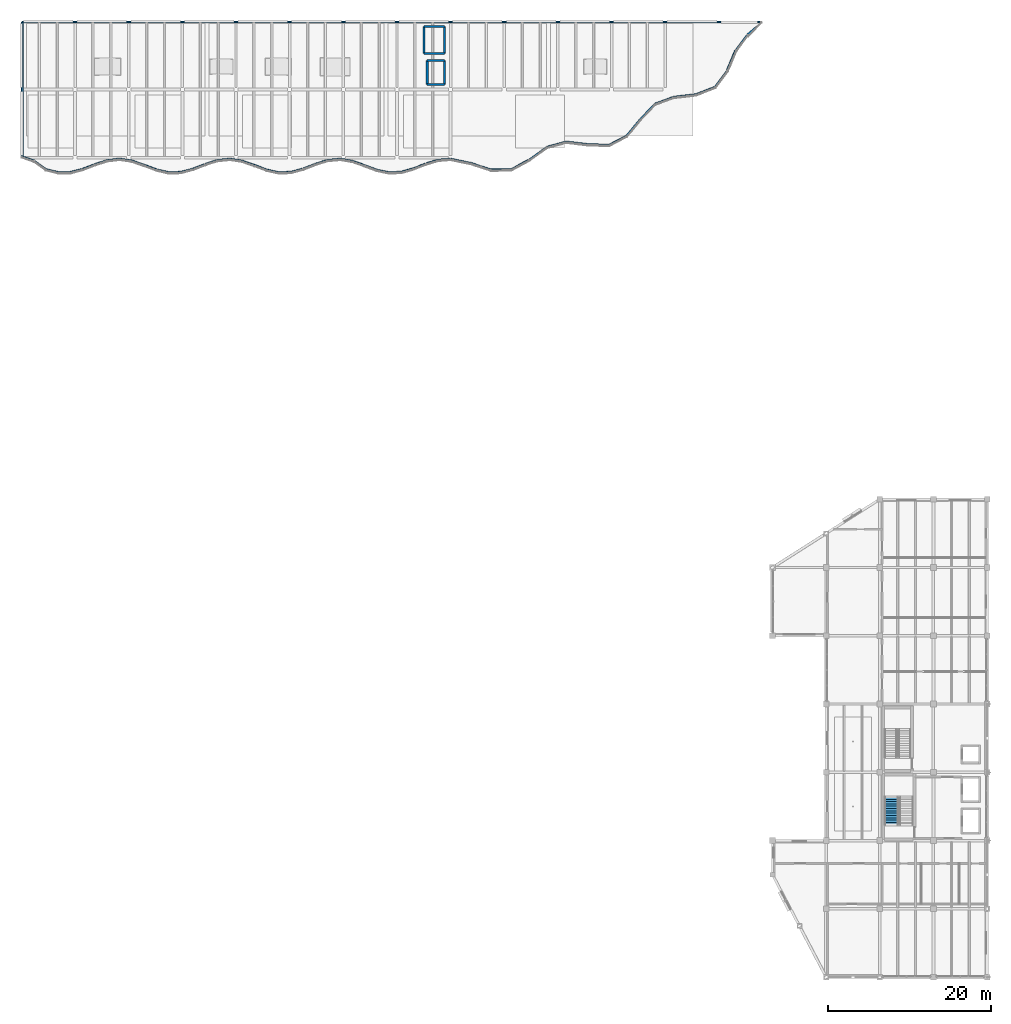
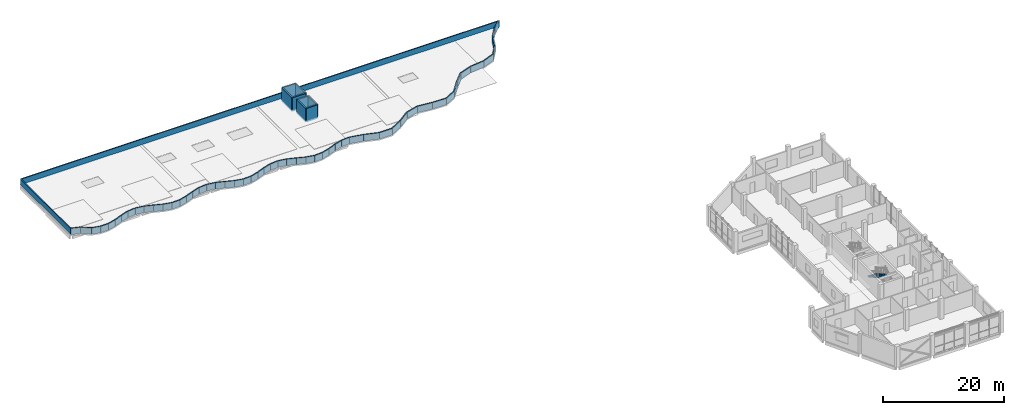
# One storey, part 12 of 19: 63 walls, 1 stair flight, 1 element without a shape of its own.
"""IFC4 building model written with IfcOpenShell, lengths in metres."""

import ifcopenshell
import ifcopenshell.guid

model = None  # the IFC model being written
_history = None  # IfcOwnerHistory: only IFC2X3 demands one
_inside = {}  # id of a spatial element -> (the spatial element, [elements in it])
_under = {}  # id of a project, library or spatial element -> (it, [spatial elements below it])
_declared = {}  # id of a project -> (the project, [libraries it declares])
_typed = {}  # id of a type object -> (the type object, [elements of that type])
_made_of = {}  # id of a material, layer set ... -> (it, [elements and type objects made of it])


def new_model(schema):
    """Start an empty IFC model of exactly this schema.

    Asked for "IFC4X3", IfcOpenShell would pick the latest addendum, in which some entities
    have other attributes; the version numbers below select the first issue.
    IFC2X3 requires an IfcOwnerHistory on every rooted entity: one is made here for all.
    """
    global model, _history
    if schema == "IFC4X3":
        model = ifcopenshell.file(schema_version=(4, 3, 0, 0))
    else:
        model = ifcopenshell.file(schema=schema)
    _inside.clear()
    _under.clear()
    _declared.clear()
    _typed.clear()
    _made_of.clear()
    _history = None
    if model.schema == "IFC2X3":
        org = make("IfcOrganization", Name="unknown")
        user = make(
            "IfcPersonAndOrganization",
            ThePerson=make("IfcPerson", FamilyName="unknown"),
            TheOrganization=org,
        )
        app = make(
            "IfcApplication",
            ApplicationDeveloper=org,
            Version="unknown",
            ApplicationFullName="unknown",
            ApplicationIdentifier="unknown",
        )
        _history = make(
            "IfcOwnerHistory",
            OwningUser=user,
            OwningApplication=app,
            ChangeAction="ADDED",
            CreationDate=0,
        )
    return model


def make(cls, **values):
    """One entity of the class cls with the attributes given. An attribute that is None is left unset."""
    return model.create_entity(
        cls, **{name: value for name, value in values.items() if value is not None}
    )


def rooted(cls, **values):
    """An entity with a GlobalId (a new one), such as an element, a storey or a relation."""
    return make(cls, GlobalId=ifcopenshell.guid.new(), OwnerHistory=_history, **values)


def si_unit(unit_type, name, prefix=None):
    """IfcSIUnit, for example si_unit("LENGTHUNIT", "METRE", prefix="MILLI")."""
    return make("IfcSIUnit", UnitType=unit_type, Prefix=prefix, Name=name)


def assignment(units):
    """IfcUnitAssignment: the units of a project."""
    return None if units is None else make("IfcUnitAssignment", Units=units)


def point(xyz):
    """IfcCartesianPoint."""
    return None if xyz is None else make("IfcCartesianPoint", Coordinates=xyz)


def direction(xyz):
    """IfcDirection."""
    return None if xyz is None else make("IfcDirection", DirectionRatios=xyz)


def frame(location, z_axis=None, x_axis=None):
    """IfcAxis2Placement3D, a coordinate frame: its origin and axes. An axis left out is left unset."""
    return make(
        "IfcAxis2Placement3D",
        Location=point(location),
        Axis=direction(z_axis),
        RefDirection=direction(x_axis),
    )


def frame_2d(location, x_axis=None):
    """IfcAxis2Placement2D, a coordinate frame in the plane: its origin and x axis."""
    return make(
        "IfcAxis2Placement2D", Location=point(location), RefDirection=direction(x_axis)
    )


def origin():
    """The frame at (0, 0, 0) with its axes left unset."""
    return frame((0.0, 0.0, 0.0))


def place(relative_to, where):
    """IfcLocalPlacement: puts the frame where relative to a parent placement (None: the world)."""
    return make(
        "IfcLocalPlacement", PlacementRelTo=relative_to, RelativePlacement=where
    )


def context(
    kind, dimensions, precision=None, world=None, true_north=None, identifier=None
):
    """IfcGeometricRepresentationContext, for example the 3D "Model" context."""
    return make(
        "IfcGeometricRepresentationContext",
        ContextIdentifier=identifier,
        ContextType=kind,
        CoordinateSpaceDimension=dimensions,
        Precision=precision,
        WorldCoordinateSystem=world,
        TrueNorth=true_north,
    )


def subcontext(parent, identifier, kind, view, scale=None):
    """IfcGeometricRepresentationSubContext, for example "Body" below "Model"."""
    return make(
        "IfcGeometricRepresentationSubContext",
        ContextIdentifier=identifier,
        ContextType=kind,
        ParentContext=parent,
        TargetScale=scale,
        TargetView=view,
    )


def project(units=None, contexts=None):
    """IfcProject with its units and contexts."""
    return rooted(
        "IfcProject",
        Name="project",
        RepresentationContexts=contexts,
        UnitsInContext=assignment(units),
    )


def spatial(cls, under=None, at=None, **own):
    """A site, building, storey or space (cls), placed at a placement, below another one or the project."""
    s = rooted(cls, ObjectPlacement=at, **own)
    if under is not None:
        _under.setdefault(under.id(), (under, []))[1].append(s)
    return s


def polyline(points):
    """IfcPolyline through the points."""
    return make("IfcPolyline", Points=[point(p) for p in points])


def profile(cls, at=None, kind="AREA", **sizes):
    """A parametric profile (cls). Its sizes go by their IFC names, for example OverallWidth=200.0."""
    return make(cls, ProfileType=kind, Position=at, **sizes)


def rectangle(**sizes):
    """IfcRectangleProfileDef."""
    return profile("IfcRectangleProfileDef", **sizes)


def outline(outer, holes=None, kind="AREA"):
    """IfcArbitraryClosedProfileDef: a profile drawn as a closed curve; with holes, ...WithVoids."""
    if holes is None:
        return make("IfcArbitraryClosedProfileDef", ProfileType=kind, OuterCurve=outer)
    return make(
        "IfcArbitraryProfileDefWithVoids",
        ProfileType=kind,
        OuterCurve=outer,
        InnerCurves=holes,
    )


def extrude(swept, where, along, depth):
    """IfcExtrudedAreaSolid: the profile swept, set in the frame where, extruded along a direction by depth."""
    return make(
        "IfcExtrudedAreaSolid",
        SweptArea=swept,
        Position=where,
        ExtrudedDirection=direction(along),
        Depth=depth,
    )


def shape(context_of_items, identifier, shape_type, items):
    """IfcShapeRepresentation: the items that make up one representation, for example the "Body"."""
    return make(
        "IfcShapeRepresentation",
        ContextOfItems=context_of_items,
        RepresentationIdentifier=identifier,
        RepresentationType=shape_type,
        Items=items,
    )


def material(Name=None, Category=None):
    """IfcMaterial."""
    return make("IfcMaterial", Name=Name, Category=Category)


def layer(
    of_material, thickness, ventilated=None, Name=None, Category=None, Priority=None
):
    """IfcMaterialLayer: one layer of a wall or slab, of a material (None: an air gap)."""
    return make(
        "IfcMaterialLayer",
        Material=of_material,
        LayerThickness=thickness,
        IsVentilated=ventilated,
        Name=Name,
        Category=Category,
        Priority=Priority,
    )


def layer_set(layers, Name=None):
    """IfcMaterialLayerSet."""
    return make("IfcMaterialLayerSet", MaterialLayers=layers, LayerSetName=Name)


def made_of(thing, what):
    """Note that an element or type object is made of a material, layer set ...; save() writes the relation."""
    if what is not None:
        _made_of.setdefault(what.id(), (what, []))[1].append(thing)
    return thing


def type_object(cls, material=None, **own):
    """A type object (cls), such as IfcWallType, which elements share."""
    return made_of(rooted(cls, **own), material)


def element(
    cls,
    number,
    at=None,
    inside=None,
    cuts=None,
    type_object=None,
    material=None,
    context=None,
    identifier="Body",
    shape_type=None,
    held_by="IfcProductDefinitionShape",
    body=None,
    shapes=None,
    **own,
):
    """One element of the class cls, such as IfcWall. Its Tag is "e" and its number.

    at: its placement. inside: the storey or other place that contains it. cuts: it is an
    opening in that element (IfcRelVoidsElement). A single representation is given by context,
    identifier, shape_type and body (its items); several are given by shapes. held_by: the class
    of the entity that holds the representations. save() writes the other relations.
    """
    e = rooted(cls, Tag="e%d" % number, ObjectPlacement=at, **own)
    if body is not None:
        shapes = [shape(context, identifier, shape_type, body)]
    if shapes is not None:
        e.Representation = make(held_by, Representations=shapes)
    if inside is not None:
        _inside.setdefault(inside.id(), (inside, []))[1].append(e)
    if cuts is not None:
        rooted(
            "IfcRelVoidsElement", RelatingBuildingElement=cuts, RelatedOpeningElement=e
        )
    if type_object is not None:
        _typed.setdefault(type_object.id(), (type_object, []))[1].append(e)
    return made_of(e, material)


def aggregate(whole, parts):
    """IfcRelAggregates: a whole, such as a stair, and the parts it consists of."""
    return rooted("IfcRelAggregates", RelatingObject=whole, RelatedObjects=parts)


def save(model, path):
    """Write the relations noted so far, then the file.

    IfcRelAggregates (storeys below a building ...), IfcRelContainedInSpatialStructure (elements
    in a storey), IfcRelDefinesByType, IfcRelAssociatesMaterial and IfcRelDeclares: one each for
    every whole, place, type object, material and project.
    """
    for whole, parts in _under.values():
        aggregate(whole, parts)
    for where, things in _inside.values():
        rooted(
            "IfcRelContainedInSpatialStructure",
            RelatedElements=things,
            RelatingStructure=where,
        )
    for kind, things in _typed.values():
        rooted("IfcRelDefinesByType", RelatedObjects=things, RelatingType=kind)
    for what, things in _made_of.values():
        rooted("IfcRelAssociatesMaterial", RelatedObjects=things, RelatingMaterial=what)
    for by, libraries in _declared.values():
        rooted("IfcRelDeclares", RelatingContext=by, RelatedDefinitions=libraries)
    model.write(path)


model = new_model("IFC4")

# Units and contexts
model_context = context("Model", 3, precision=1e-05, world=origin(), true_north=direction((0.0, 1.0)))
body_context = subcontext(model_context, "Body", "Model", "MODEL_VIEW")
ifc_project = project(units=[si_unit("LENGTHUNIT", "METRE"), si_unit("AREAUNIT", "SQUARE_METRE"), si_unit("VOLUMEUNIT", "CUBIC_METRE"), si_unit("PLANEANGLEUNIT", "RADIAN"), si_unit("MASSUNIT", "GRAM", prefix="KILO")], contexts=[model_context])

# Site, building, storey
site_placement = place(None, origin())
site = spatial("IfcSite", under=ifc_project, at=site_placement, CompositionType="ELEMENT")
building_placement = place(site_placement, origin())
building = spatial("IfcBuilding", under=site, at=building_placement, Name="Qaldarim Faculty of Natural and Applied Sciences", CompositionType="ELEMENT")
storey_placement = place(building_placement, frame((0.0, 0.0, 27.0)))
storey = spatial("IfcBuildingStorey", under=building, at=storey_placement, Name="L06", CompositionType="ELEMENT", Elevation=27.0)

# Walls
ifc_material_1 = material(Name="Concrete C40/50", Category="concrete")
ifc_layer_1 = layer(ifc_material_1, 0.25)
ifc_layer_set_1 = layer_set([ifc_layer_1], Name="Concrete C40/50")
wall_type_1 = type_object("IfcWallType", Name="LiftShaftWall-250", PredefinedType="SHEAR", material=ifc_layer_set_1)
for number, where, z_axis, x_axis, name in (
    (1, (109.324951171875, 109.824951171875, -0.239990234375), (0.0, 0.0, 1.0), (0.0, 1.0, 0.0), "Lift LF-B1 overrun wall W"),
    (2, (111.47509765625, 109.824951171875, -0.239990234375), (0.0, 0.0, 1.0), (0.0, 1.0, 0.0), "Lift LF-B1 overrun wall E"),
):
    element("IfcWall", number, at=place(storey_placement, frame(where, z_axis=z_axis, x_axis=x_axis)), inside=storey, type_object=wall_type_1, Name=name, PredefinedType="SHEAR", context=body_context, shape_type="SweptSolid", body=[
        extrude(rectangle(XDim=2.949951171875, YDim=0.25, at=frame_2d((1.47509765625, 0.0))), origin(), (0.0, 0.0, 1.0), 2.739990234375),
    ])
for number, where, z_axis, x_axis, name in (
    (3, (109.324951171875, 109.824951171875, -0.239990234375), (0.0, 0.0, 1.0), (1.0, 0.0, 0.0), "Lift LF-B1 overrun wall S"),
    (4, (109.324951171875, 112.77490234375, -0.239990234375), (0.0, 0.0, 1.0), (1.0, 0.0, 0.0), "Lift LF-B1 overrun wall N"),
):
    element("IfcWall", number, at=place(storey_placement, frame(where, z_axis=z_axis, x_axis=x_axis)), inside=storey, type_object=wall_type_1, Name=name, PredefinedType="SHEAR", context=body_context, shape_type="SweptSolid", body=[
        extrude(rectangle(XDim=2.150146484375, YDim=0.25, at=frame_2d((1.0751953125, 0.0))), origin(), (0.0, 0.0, 1.0), 2.739990234375),
    ])
for number, where, z_axis, x_axis, name in (
    (5, (108.925048828125, 113.625, -0.239990234375), (0.0, 0.0, 1.0), (0.0, 1.0, 0.0), "Lift LF-B2 overrun wall W"),
    (6, (111.47509765625, 113.625, -0.239990234375), (0.0, 0.0, 1.0), (0.0, 1.0, 0.0), "Lift LF-B2 overrun wall E"),
):
    element("IfcWall", number, at=place(storey_placement, frame(where, z_axis=z_axis, x_axis=x_axis)), inside=storey, type_object=wall_type_1, Name=name, PredefinedType="SHEAR", context=body_context, shape_type="SweptSolid", body=[
        extrude(rectangle(XDim=3.35009765625, YDim=0.25, at=frame_2d((1.675048828125, 0.0))), origin(), (0.0, 0.0, 1.0), 2.739990234375),
    ])
for number, where, z_axis, x_axis, name in (
    (7, (108.925048828125, 113.625, -0.239990234375), (0.0, 0.0, 1.0), (1.0, 0.0, 0.0), "Lift LF-B2 overrun wall S"),
    (8, (108.925048828125, 116.97509765625, -0.239990234375), (0.0, 0.0, 1.0), (1.0, 0.0, 0.0), "Lift LF-B2 overrun wall N"),
):
    element("IfcWall", number, at=place(storey_placement, frame(where, z_axis=z_axis, x_axis=x_axis)), inside=storey, type_object=wall_type_1, Name=name, PredefinedType="SHEAR", context=body_context, shape_type="SweptSolid", body=[
        extrude(rectangle(XDim=2.550048828125, YDim=0.25, at=frame_2d((1.27490234375, 0.0))), origin(), (0.0, 0.0, 1.0), 2.739990234375),
    ])
ifc_material_2 = material(Name="White architectural precast concrete C40/50", Category="concrete")
ifc_layer_2 = layer(ifc_material_2, 0.199951171875)
ifc_layer_set_2 = layer_set([ifc_layer_2], Name="White architectural precast concrete C40/50")
wall_type_2 = type_object("IfcWallType", Name="RoofParapetWall-200", PredefinedType="PARAPET", material=ifc_layer_set_2)
wall_1_placement = place(storey_placement, frame((150.300048828125, 117.5, 0.0), z_axis=(0.0, 0.0, 1.0), x_axis=(-1.0, 0.0, 0.0)))
element("IfcWall", 9, at=wall_1_placement, inside=storey, type_object=wall_type_2, Name="Roof parapet PAR-L06-V4-N", PredefinedType="PARAPET", context=body_context, shape_type="SweptSolid", body=[
    extrude(rectangle(XDim=90.800048828125, YDim=0.199951171875, at=frame_2d((45.39990234375, 0.0))), origin(), (0.0, 0.0, 1.0), 1.10009765625),
])
wall_2_placement = place(storey_placement, frame((59.5, 117.5, 0.0), z_axis=(0.0, 0.0, 1.0), x_axis=(0.0, -1.0, 0.0)))
element("IfcWall", 10, at=wall_2_placement, inside=storey, type_object=wall_type_2, Name="Roof parapet PAR-L06-V4-W", PredefinedType="PARAPET", context=body_context, shape_type="SweptSolid", body=[
    extrude(rectangle(XDim=16.60009765625, YDim=0.199951171875, at=frame_2d((8.300048828125, 0.0))), origin(), (0.0, 0.0, 1.0), 1.10009765625),
])
ifc_layer_3 = layer(ifc_material_2, 0.219970703125)
ifc_layer_set_3 = layer_set([ifc_layer_3], Name="White architectural precast concrete C40/50")
wall_type_3 = type_object("IfcWallType", Name="WhitePrecastWaveBand-220", PredefinedType="SOLIDWALL", material=ifc_layer_set_3)
wall_3_placement = place(storey_placement, frame((59.445068359375, 100.93505859375, 0.0), z_axis=(0.0, 0.0, 1.0), x_axis=(0.947419736278, -0.319993505107, 0.0)))
element("IfcWall", 11, at=wall_3_placement, inside=storey, type_object=wall_type_3, Name="White precast wave spandrel band L06 chord 01", PredefinedType="SOLIDWALL", context=body_context, shape_type="SweptSolid", body=[
    extrude(rectangle(XDim=1.59375, YDim=0.219970703125, at=frame_2d((0.796875, 0.0))), origin(), (0.0, 0.0, 1.0), 1.25),
])
wall_4_placement = place(storey_placement, frame((60.989990234375, 100.405029296875, 0.0), z_axis=(0.0, 0.0, 1.0), x_axis=(0.81245818476, -0.583019466241, 0.0)))
element("IfcWall", 12, at=wall_4_placement, inside=storey, type_object=wall_type_3, Name="White precast wave spandrel band L06 chord 02", PredefinedType="SOLIDWALL", context=body_context, shape_type="SweptSolid", body=[
    extrude(rectangle(XDim=1.8525390625, YDim=0.219970703125, at=frame_2d((0.92626953125, 0.0))), origin(), (0.0, 0.0, 1.0), 1.25),
])
wall_5_placement = place(storey_placement, frame((62.449951171875, 99.344970703125, 0.0), z_axis=(0.0, 0.0, 1.0), x_axis=(0.972007996654, -0.234947769603, 0.0)))
element("IfcWall", 13, at=wall_5_placement, inside=storey, type_object=wall_type_3, Name="White precast wave spandrel band L06 chord 03", PredefinedType="SOLIDWALL", context=body_context, shape_type="SweptSolid", body=[
    extrude(rectangle(XDim=1.553466796875, YDim=0.219970703125, at=frame_2d((0.77685546875, 0.0))), origin(), (0.0, 0.0, 1.0), 1.25),
])
wall_6_placement = place(storey_placement, frame((63.925048828125, 98.985107421875, 0.0), z_axis=(0.0, 0.0, 1.0), x_axis=(0.999951368397, 0.009862091103, 0.0)))
element("IfcWall", 14, at=wall_6_placement, inside=storey, type_object=wall_type_3, Name="White precast wave spandrel band L06 chord 04", PredefinedType="SOLIDWALL", context=body_context, shape_type="SweptSolid", body=[
    extrude(rectangle(XDim=1.510009765625, YDim=0.219970703125, at=frame_2d((0.7548828125, 0.0))), origin(), (0.0, 0.0, 1.0), 1.25),
])
wall_7_placement = place(storey_placement, frame((65.39990234375, 98.9951171875, 0.0), z_axis=(0.0, 0.0, 1.0), x_axis=(0.969035855375, 0.246920049809, 0.0)))
element("IfcWall", 15, at=wall_7_placement, inside=storey, type_object=wall_type_3, Name="White precast wave spandrel band L06 chord 05", PredefinedType="SOLIDWALL", context=body_context, shape_type="SweptSolid", body=[
    extrude(rectangle(XDim=1.558349609375, YDim=0.219970703125, at=frame_2d((0.779296875, 0.0))), origin(), (0.0, 0.0, 1.0), 1.25),
])
wall_8_placement = place(storey_placement, frame((66.89501953125, 99.375, 0.0), z_axis=(0.0, 0.0, 1.0), x_axis=(0.933080053633, 0.359668755262, 0.0)))
element("IfcWall", 16, at=wall_8_placement, inside=storey, type_object=wall_type_3, Name="White precast wave spandrel band L06 chord 06", PredefinedType="SOLIDWALL", context=body_context, shape_type="SweptSolid", body=[
    extrude(rectangle(XDim=1.61279296875, YDim=0.219970703125, at=frame_2d((0.806396484375, 0.0))), origin(), (0.0, 0.0, 1.0), 1.25),
])
wall_9_placement = place(storey_placement, frame((68.405029296875, 99.9599609375, 0.0), z_axis=(0.0, 0.0, 1.0), x_axis=(0.950223575895, 0.311568862072, 0.0)))
element("IfcWall", 17, at=wall_9_placement, inside=storey, type_object=wall_type_3, Name="White precast wave spandrel band L06 chord 07", PredefinedType="SOLIDWALL", context=body_context, shape_type="SweptSolid", body=[
    extrude(rectangle(XDim=1.589111328125, YDim=0.219970703125, at=frame_2d((0.79443359375, 0.0))), origin(), (0.0, 0.0, 1.0), 1.25),
])
wall_10_placement = place(storey_placement, frame((69.945068359375, 100.4599609375, 0.0), z_axis=(0.0, 0.0, 1.0), x_axis=(0.99297525581, 0.118322192972, 0.0)))
element("IfcWall", 18, at=wall_10_placement, inside=storey, type_object=wall_type_3, Name="White precast wave spandrel band L06 chord 08", PredefinedType="SOLIDWALL", context=body_context, shape_type="SweptSolid", body=[
    extrude(rectangle(XDim=1.520751953125, YDim=0.219970703125, at=frame_2d((0.76025390625, 0.0))), origin(), (0.0, 0.0, 1.0), 1.25),
])
wall_11_placement = place(storey_placement, frame((71.489990234375, 100.639892578125, 0.0), z_axis=(0.0, 0.0, 1.0), x_axis=(0.989024431595, -0.14775206837, 0.0)))
element("IfcWall", 19, at=wall_11_placement, inside=storey, type_object=wall_type_3, Name="White precast wave spandrel band L06 chord 09", PredefinedType="SOLIDWALL", context=body_context, shape_type="SweptSolid", body=[
    extrude(rectangle(XDim=1.521728515625, YDim=0.219970703125, at=frame_2d((0.7607421875, 0.0))), origin(), (0.0, 0.0, 1.0), 1.25),
])
wall_12_placement = place(storey_placement, frame((73.02001953125, 100.405029296875, 0.0), z_axis=(0.0, 0.0, 1.0), x_axis=(0.945502870629, -0.325613761429, 0.0)))
element("IfcWall", 20, at=wall_12_placement, inside=storey, type_object=wall_type_3, Name="White precast wave spandrel band L06 chord 10", PredefinedType="SOLIDWALL", context=body_context, shape_type="SweptSolid", body=[
    extrude(rectangle(XDim=1.596923828125, YDim=0.219970703125, at=frame_2d((0.79833984375, 0.0))), origin(), (0.0, 0.0, 1.0), 1.25),
])
wall_13_placement = place(storey_placement, frame((74.534912109375, 99.885009765625, 0.0), z_axis=(0.0, 0.0, 1.0), x_axis=(0.935549858689, -0.353194651583, 0.0)))
element("IfcWall", 21, at=wall_13_placement, inside=storey, type_object=wall_type_3, Name="White precast wave spandrel band L06 chord 11", PredefinedType="SOLIDWALL", context=body_context, shape_type="SweptSolid", body=[
    extrude(rectangle(XDim=1.614013671875, YDim=0.219970703125, at=frame_2d((0.80712890625, 0.0))), origin(), (0.0, 0.0, 1.0), 1.25),
])
wall_14_placement = place(storey_placement, frame((76.02490234375, 99.320068359375, 0.0), z_axis=(0.0, 0.0, 1.0), x_axis=(0.974159735483, -0.225860155325, 0.0)))
element("IfcWall", 22, at=wall_14_placement, inside=storey, type_object=wall_type_3, Name="White precast wave spandrel band L06 chord 12", PredefinedType="SOLIDWALL", context=body_context, shape_type="SweptSolid", body=[
    extrude(rectangle(XDim=1.550048828125, YDim=0.219970703125, at=frame_2d((0.77490234375, 0.0))), origin(), (0.0, 0.0, 1.0), 1.25),
])
wall_15_placement = place(storey_placement, frame((77.5, 98.97509765625, 0.0), z_axis=(0.0, 0.0, 1.0), x_axis=(0.999731006641, 0.023192980848, 0.0)))
element("IfcWall", 23, at=wall_15_placement, inside=storey, type_object=wall_type_3, Name="White precast wave spandrel band L06 chord 13", PredefinedType="SOLIDWALL", context=body_context, shape_type="SweptSolid", body=[
    extrude(rectangle(XDim=1.50537109375, YDim=0.219970703125, at=frame_2d((0.752685546875, 0.0))), origin(), (0.0, 0.0, 1.0), 1.25),
])
wall_16_placement = place(storey_placement, frame((78.97509765625, 99.0048828125, 0.0), z_axis=(0.0, 0.0, 1.0), x_axis=(0.965858087727, 0.259071716659, 0.0)))
element("IfcWall", 24, at=wall_16_placement, inside=storey, type_object=wall_type_3, Name="White precast wave spandrel band L06 chord 14", PredefinedType="SOLIDWALL", context=body_context, shape_type="SweptSolid", body=[
    extrude(rectangle(XDim=1.5634765625, YDim=0.219970703125, at=frame_2d((0.78173828125, 0.0))), origin(), (0.0, 0.0, 1.0), 1.25),
])
wall_17_placement = place(storey_placement, frame((80.469970703125, 99.405029296875, 0.0), z_axis=(0.0, 0.0, 1.0), x_axis=(0.933489457338, 0.358604842463, 0.0)))
element("IfcWall", 25, at=wall_17_placement, inside=storey, type_object=wall_type_3, Name="White precast wave spandrel band L06 chord 15", PredefinedType="SOLIDWALL", context=body_context, shape_type="SweptSolid", body=[
    extrude(rectangle(XDim=1.61767578125, YDim=0.219970703125, at=frame_2d((0.808837890625, 0.0))), origin(), (0.0, 0.0, 1.0), 1.25),
])
wall_18_placement = place(storey_placement, frame((81.985107421875, 99.989990234375, 0.0), z_axis=(0.0, 0.0, 1.0), x_axis=(0.951771176178, 0.306808781159, 0.0)))
element("IfcWall", 26, at=wall_18_placement, inside=storey, type_object=wall_type_3, Name="White precast wave spandrel band L06 chord 16", PredefinedType="SOLIDWALL", context=body_context, shape_type="SweptSolid", body=[
    extrude(rectangle(XDim=1.5810546875, YDim=0.219970703125, at=frame_2d((0.79052734375, 0.0))), origin(), (0.0, 0.0, 1.0), 1.25),
])
wall_19_placement = place(storey_placement, frame((83.52001953125, 100.47998046875, 0.0), z_axis=(0.0, 0.0, 1.0), x_axis=(0.994770969095, 0.102130891734, 0.0)))
element("IfcWall", 27, at=wall_19_placement, inside=storey, type_object=wall_type_3, Name="White precast wave spandrel band L06 chord 17", PredefinedType="SOLIDWALL", context=body_context, shape_type="SweptSolid", body=[
    extrude(rectangle(XDim=1.51806640625, YDim=0.219970703125, at=frame_2d((0.759033203125, 0.0))), origin(), (0.0, 0.0, 1.0), 1.25),
])
wall_20_placement = place(storey_placement, frame((85.06494140625, 100.635009765625, 0.0), z_axis=(0.0, 0.0, 1.0), x_axis=(0.987604507649, -0.156962850609, 0.0)))
element("IfcWall", 28, at=wall_20_placement, inside=storey, type_object=wall_type_3, Name="White precast wave spandrel band L06 chord 18", PredefinedType="SOLIDWALL", context=body_context, shape_type="SweptSolid", body=[
    extrude(rectangle(XDim=1.529052734375, YDim=0.219970703125, at=frame_2d((0.7646484375, 0.0))), origin(), (0.0, 0.0, 1.0), 1.25),
])
wall_21_placement = place(storey_placement, frame((86.60009765625, 100.385009765625, 0.0), z_axis=(0.0, 0.0, 1.0), x_axis=(0.943560676249, -0.331199713522, 0.0)))
element("IfcWall", 29, at=wall_21_placement, inside=storey, type_object=wall_type_3, Name="White precast wave spandrel band L06 chord 19", PredefinedType="SOLIDWALL", context=body_context, shape_type="SweptSolid", body=[
    extrude(rectangle(XDim=1.600341796875, YDim=0.219970703125, at=frame_2d((0.80029296875, 0.0))), origin(), (0.0, 0.0, 1.0), 1.25),
])
wall_22_placement = place(storey_placement, frame((88.114990234375, 99.85498046875, 0.0), z_axis=(0.0, 0.0, 1.0), x_axis=(0.936223040158, -0.351406344676, 0.0)))
element("IfcWall", 30, at=wall_22_placement, inside=storey, type_object=wall_type_3, Name="White precast wave spandrel band L06 chord 20", PredefinedType="SOLIDWALL", context=body_context, shape_type="SweptSolid", body=[
    extrude(rectangle(XDim=1.607666015625, YDim=0.219970703125, at=frame_2d((0.8037109375, 0.0))), origin(), (0.0, 0.0, 1.0), 1.25),
])
wall_23_placement = place(storey_placement, frame((89.60009765625, 99.294921875, 0.0), z_axis=(0.0, 0.0, 1.0), x_axis=(0.976268698719, -0.21656275742, 0.0)))
element("IfcWall", 31, at=wall_23_placement, inside=storey, type_object=wall_type_3, Name="White precast wave spandrel band L06 chord 21", PredefinedType="SOLIDWALL", context=body_context, shape_type="SweptSolid", body=[
    extrude(rectangle(XDim=1.546630859375, YDim=0.219970703125, at=frame_2d((0.7734375, 0.0))), origin(), (0.0, 0.0, 1.0), 1.25),
])
wall_24_placement = place(storey_placement, frame((91.074951171875, 98.965087890625, 0.0), z_axis=(0.0, 0.0, 1.0), x_axis=(0.999216368219, 0.039580923236, 0.0)))
element("IfcWall", 32, at=wall_24_placement, inside=storey, type_object=wall_type_3, Name="White precast wave spandrel band L06 chord 22", PredefinedType="SOLIDWALL", context=body_context, shape_type="SweptSolid", body=[
    extrude(rectangle(XDim=1.51123046875, YDim=0.219970703125, at=frame_2d((0.755615234375, 0.0))), origin(), (0.0, 0.0, 1.0), 1.25),
])
wall_25_placement = place(storey_placement, frame((92.554931640625, 99.02001953125, 0.0), z_axis=(0.0, 0.0, 1.0), x_axis=(0.964020258499, 0.265828781743, 0.0)))
element("IfcWall", 33, at=wall_25_placement, inside=storey, type_object=wall_type_3, Name="White precast wave spandrel band L06 chord 23", PredefinedType="SOLIDWALL", context=body_context, shape_type="SweptSolid", body=[
    extrude(rectangle(XDim=1.561279296875, YDim=0.219970703125, at=frame_2d((0.78076171875, 0.0))), origin(), (0.0, 0.0, 1.0), 1.25),
])
wall_26_placement = place(storey_placement, frame((94.044921875, 99.429931640625, 0.0), z_axis=(0.0, 0.0, 1.0), x_axis=(0.932476381751, 0.361230947563, 0.0)))
element("IfcWall", 34, at=wall_26_placement, inside=storey, type_object=wall_type_3, Name="White precast wave spandrel band L06 chord 24", PredefinedType="SOLIDWALL", context=body_context, shape_type="SweptSolid", body=[
    extrude(rectangle(XDim=1.619384765625, YDim=0.219970703125, at=frame_2d((0.8095703125, 0.0))), origin(), (0.0, 0.0, 1.0), 1.25),
])
wall_27_placement = place(storey_placement, frame((95.56494140625, 100.02001953125, 0.0), z_axis=(0.0, 0.0, 1.0), x_axis=(0.95482271116, 0.297176025705, 0.0)))
element("IfcWall", 35, at=wall_27_placement, inside=storey, type_object=wall_type_3, Name="White precast wave spandrel band L06 chord 25", PredefinedType="SOLIDWALL", context=body_context, shape_type="SweptSolid", body=[
    extrude(rectangle(XDim=1.58154296875, YDim=0.219970703125, at=frame_2d((0.790771484375, 0.0))), origin(), (0.0, 0.0, 1.0), 1.25),
])
wall_28_placement = place(storey_placement, frame((97.10009765625, 100.4951171875, 0.0), z_axis=(0.0, 0.0, 1.0), x_axis=(0.995736019838, 0.092248462307, 0.0)))
element("IfcWall", 36, at=wall_28_placement, inside=storey, type_object=wall_type_3, Name="White precast wave spandrel band L06 chord 26", PredefinedType="SOLIDWALL", context=body_context, shape_type="SweptSolid", body=[
    extrude(rectangle(XDim=1.516357421875, YDim=0.219970703125, at=frame_2d((0.75830078125, 0.0))), origin(), (0.0, 0.0, 1.0), 1.25),
])
wall_29_placement = place(storey_placement, frame((98.64990234375, 100.635009765625, 0.0), z_axis=(0.0, 0.0, 1.0), x_axis=(0.98486386489, -0.173329650187, 0.0)))
element("IfcWall", 37, at=wall_29_placement, inside=storey, type_object=wall_type_3, Name="White precast wave spandrel band L06 chord 27", PredefinedType="SOLIDWALL", context=body_context, shape_type="SweptSolid", body=[
    extrude(rectangle(XDim=1.5283203125, YDim=0.219970703125, at=frame_2d((0.76416015625, 0.0))), origin(), (0.0, 0.0, 1.0), 1.25),
])
wall_30_placement = place(storey_placement, frame((100.175048828125, 100.360107421875, 0.0), z_axis=(0.0, 0.0, 1.0), x_axis=(0.942556266961, -0.334047427191, 0.0)))
element("IfcWall", 38, at=wall_30_placement, inside=storey, type_object=wall_type_3, Name="White precast wave spandrel band L06 chord 28", PredefinedType="SOLIDWALL", context=body_context, shape_type="SweptSolid", body=[
    extrude(rectangle(XDim=1.60205078125, YDim=0.219970703125, at=frame_2d((0.801025390625, 0.0))), origin(), (0.0, 0.0, 1.0), 1.25),
])
wall_31_placement = place(storey_placement, frame((101.68994140625, 99.824951171875, 0.0), z_axis=(0.0, 0.0, 1.0), x_axis=(0.937587743655, -0.347748792877, 0.0)))
element("IfcWall", 39, at=wall_31_placement, inside=storey, type_object=wall_type_3, Name="White precast wave spandrel band L06 chord 29", PredefinedType="SOLIDWALL", context=body_context, shape_type="SweptSolid", body=[
    extrude(rectangle(XDim=1.610595703125, YDim=0.219970703125, at=frame_2d((0.80517578125, 0.0))), origin(), (0.0, 0.0, 1.0), 1.25),
])
wall_32_placement = place(storey_placement, frame((103.179931640625, 99.27001953125, 0.0), z_axis=(0.0, 0.0, 1.0), x_axis=(0.978801729314, -0.204810094212, 0.0)))
element("IfcWall", 40, at=wall_32_placement, inside=storey, type_object=wall_type_3, Name="White precast wave spandrel band L06 chord 30", PredefinedType="SOLIDWALL", context=body_context, shape_type="SweptSolid", body=[
    extrude(rectangle(XDim=1.537841796875, YDim=0.219970703125, at=frame_2d((0.76904296875, 0.0))), origin(), (0.0, 0.0, 1.0), 1.25),
])
wall_33_placement = place(storey_placement, frame((104.64990234375, 98.9599609375, 0.0), z_axis=(0.0, 0.0, 1.0), x_axis=(0.998770394616, 0.049575183694, 0.0)))
element("IfcWall", 41, at=wall_33_placement, inside=storey, type_object=wall_type_3, Name="White precast wave spandrel band L06 chord 31", PredefinedType="SOLIDWALL", context=body_context, shape_type="SweptSolid", body=[
    extrude(rectangle(XDim=1.511962890625, YDim=0.219970703125, at=frame_2d((0.755859375, 0.0))), origin(), (0.0, 0.0, 1.0), 1.25),
])
wall_34_placement = place(storey_placement, frame((106.125, 99.030029296875, 0.0), z_axis=(0.0, 0.0, 1.0), x_axis=(0.960911858265, 0.276854475575, 0.0)))
element("IfcWall", 42, at=wall_34_placement, inside=storey, type_object=wall_type_3, Name="White precast wave spandrel band L06 chord 32", PredefinedType="SOLIDWALL", context=body_context, shape_type="SweptSolid", body=[
    extrude(rectangle(XDim=1.571533203125, YDim=0.219970703125, at=frame_2d((0.78564453125, 0.0))), origin(), (0.0, 0.0, 1.0), 1.25),
])
wall_35_placement = place(storey_placement, frame((107.625, 99.4599609375, 0.0), z_axis=(0.0, 0.0, 1.0), x_axis=(0.932476381751, 0.361230947563, 0.0)))
element("IfcWall", 43, at=wall_35_placement, inside=storey, type_object=wall_type_3, Name="White precast wave spandrel band L06 chord 33", PredefinedType="SOLIDWALL", context=body_context, shape_type="SweptSolid", body=[
    extrude(rectangle(XDim=1.619384765625, YDim=0.219970703125, at=frame_2d((0.8095703125, 0.0))), origin(), (0.0, 0.0, 1.0), 1.25),
])
wall_36_placement = place(storey_placement, frame((109.14501953125, 100.050048828125, 0.0), z_axis=(0.0, 0.0, 1.0), x_axis=(0.956327480019, 0.292297367352, 0.0)))
element("IfcWall", 44, at=wall_36_placement, inside=storey, type_object=wall_type_3, Name="White precast wave spandrel band L06 chord 34", PredefinedType="SOLIDWALL", context=body_context, shape_type="SweptSolid", body=[
    extrude(rectangle(XDim=1.573486328125, YDim=0.219970703125, at=frame_2d((0.78662109375, 0.0))), origin(), (0.0, 0.0, 1.0), 1.25),
])
wall_37_placement = place(storey_placement, frame((110.679931640625, 100.514892578125, 0.0), z_axis=(0.0, 0.0, 1.0), x_axis=(0.997112988479, 0.075932128953, 0.0)))
element("IfcWall", 45, at=wall_37_placement, inside=storey, type_object=wall_type_3, Name="White precast wave spandrel band L06 chord 35", PredefinedType="SOLIDWALL", context=body_context, shape_type="SweptSolid", body=[
    extrude(rectangle(XDim=1.514404296875, YDim=0.219970703125, at=frame_2d((0.75732421875, 0.0))), origin(), (0.0, 0.0, 1.0), 1.25),
])
wall_38_placement = place(storey_placement, frame((112.22998046875, 100.625, 0.0), z_axis=(0.0, 0.0, 1.0), x_axis=(0.979089127055, -0.203431760751, 0.0)))
element("IfcWall", 46, at=wall_38_placement, inside=storey, type_object=wall_type_3, Name="White precast wave spandrel band L06 chord 36", PredefinedType="SOLIDWALL", context=body_context, shape_type="SweptSolid", body=[
    extrude(rectangle(XDim=2.48193359375, YDim=0.219970703125, at=frame_2d((1.240966796875, 0.0))), origin(), (0.0, 0.0, 1.0), 1.25),
])
wall_39_placement = place(storey_placement, frame((114.675048828125, 100.1201171875, 0.0), z_axis=(0.0, 0.0, 1.0), x_axis=(0.951273344104, -0.30834886865, 0.0)))
element("IfcWall", 47, at=wall_39_placement, inside=storey, type_object=wall_type_3, Name="White precast wave spandrel band L06 chord 37", PredefinedType="SOLIDWALL", context=body_context, shape_type="SweptSolid", body=[
    extrude(rectangle(XDim=2.643798828125, YDim=0.219970703125, at=frame_2d((1.32177734375, 0.0))), origin(), (0.0, 0.0, 1.0), 1.25),
])
wall_40_placement = place(storey_placement, frame((117.14501953125, 99.31005859375, 0.0), z_axis=(0.0, 0.0, 1.0), x_axis=(0.999991951487, 0.004012101968, 0.0)))
element("IfcWall", 48, at=wall_40_placement, inside=storey, type_object=wall_type_3, Name="White precast wave spandrel band L06 chord 38", PredefinedType="SOLIDWALL", context=body_context, shape_type="SweptSolid", body=[
    extrude(rectangle(XDim=2.494873046875, YDim=0.219970703125, at=frame_2d((1.24755859375, 0.0))), origin(), (0.0, 0.0, 1.0), 1.25),
])
wall_41_placement = place(storey_placement, frame((119.574951171875, 99.304931640625, 0.0), z_axis=(0.0, 0.0, 1.0), x_axis=(0.879410845404, 0.476063614432, 0.0)))
element("IfcWall", 49, at=wall_41_placement, inside=storey, type_object=wall_type_3, Name="White precast wave spandrel band L06 chord 39", PredefinedType="SOLIDWALL", context=body_context, shape_type="SweptSolid", body=[
    extrude(rectangle(XDim=2.615478515625, YDim=0.219970703125, at=frame_2d((1.3076171875, 0.0))), origin(), (0.0, 0.0, 1.0), 1.25),
])
wall_42_placement = place(storey_placement, frame((121.860107421875, 100.5400390625, 0.0), z_axis=(0.0, 0.0, 1.0), x_axis=(0.812072729108, 0.583556237769, 0.0)))
element("IfcWall", 50, at=wall_42_placement, inside=storey, type_object=wall_type_3, Name="White precast wave spandrel band L06 chord 40", PredefinedType="SOLIDWALL", context=body_context, shape_type="SweptSolid", body=[
    extrude(rectangle(XDim=2.6474609375, YDim=0.219970703125, at=frame_2d((1.32373046875, 0.0))), origin(), (0.0, 0.0, 1.0), 1.25),
])
wall_43_placement = place(storey_placement, frame((124.054931640625, 102.10498046875, 0.0), z_axis=(0.0, 0.0, 1.0), x_axis=(0.964382627737, 0.264511147816, 0.0)))
element("IfcWall", 51, at=wall_43_placement, inside=storey, type_object=wall_type_3, Name="White precast wave spandrel band L06 chord 41", PredefinedType="SOLIDWALL", context=body_context, shape_type="SweptSolid", body=[
    extrude(rectangle(XDim=2.400634765625, YDim=0.219970703125, at=frame_2d((1.2001953125, 0.0))), origin(), (0.0, 0.0, 1.0), 1.25),
])
wall_44_placement = place(storey_placement, frame((126.419921875, 102.7451171875, 0.0), z_axis=(0.0, 0.0, 1.0), x_axis=(0.992896014585, -0.118985310947, 0.0)))
element("IfcWall", 52, at=wall_44_placement, inside=storey, type_object=wall_type_3, Name="White precast wave spandrel band L06 chord 42", PredefinedType="SOLIDWALL", context=body_context, shape_type="SweptSolid", body=[
    extrude(rectangle(XDim=2.64892578125, YDim=0.219970703125, at=frame_2d((1.324462890625, 0.0))), origin(), (0.0, 0.0, 1.0), 1.25),
])
wall_45_placement = place(storey_placement, frame((129.0400390625, 102.429931640625, 0.0), z_axis=(0.0, 0.0, 1.0), x_axis=(0.999488392881, -0.031983628572, 0.0)))
element("IfcWall", 53, at=wall_45_placement, inside=storey, type_object=wall_type_3, Name="White precast wave spandrel band L06 chord 43", PredefinedType="SOLIDWALL", context=body_context, shape_type="SweptSolid", body=[
    extrude(rectangle(XDim=2.656494140625, YDim=0.219970703125, at=frame_2d((1.328125, 0.0))), origin(), (0.0, 0.0, 1.0), 1.25),
])
wall_46_placement = place(storey_placement, frame((131.625, 102.330078125, 0.0), z_axis=(0.0, 0.0, 1.0), x_axis=(0.888334720182, 0.459196499245, 0.0)))
element("IfcWall", 54, at=wall_46_placement, inside=storey, type_object=wall_type_3, Name="White precast wave spandrel band L06 chord 44", PredefinedType="SOLIDWALL", context=body_context, shape_type="SweptSolid", body=[
    extrude(rectangle(XDim=2.493408203125, YDim=0.219970703125, at=frame_2d((1.24658203125, 0.0))), origin(), (0.0, 0.0, 1.0), 1.25),
])
wall_47_placement = place(storey_placement, frame((133.794921875, 103.43994140625, 0.0), z_axis=(0.0, 0.0, 1.0), x_axis=(0.636739782357, 0.771078757043, 0.0)))
element("IfcWall", 55, at=wall_47_placement, inside=storey, type_object=wall_type_3, Name="White precast wave spandrel band L06 chord 45", PredefinedType="SOLIDWALL", context=body_context, shape_type="SweptSolid", body=[
    extrude(rectangle(XDim=2.717041015625, YDim=0.219970703125, at=frame_2d((1.3583984375, 0.0))), origin(), (0.0, 0.0, 1.0), 1.25),
])
wall_48_placement = place(storey_placement, frame((135.534912109375, 105.5400390625, 0.0), z_axis=(0.0, 0.0, 1.0), x_axis=(0.689245683753, 0.724527699558, 0.0)))
element("IfcWall", 56, at=wall_48_placement, inside=storey, type_object=wall_type_3, Name="White precast wave spandrel band L06 chord 46", PredefinedType="SOLIDWALL", context=body_context, shape_type="SweptSolid", body=[
    extrude(rectangle(XDim=2.54638671875, YDim=0.219970703125, at=frame_2d((1.273193359375, 0.0))), origin(), (0.0, 0.0, 1.0), 1.25),
])
wall_49_placement = place(storey_placement, frame((137.344970703125, 107.419921875, 0.0), z_axis=(0.0, 0.0, 1.0), x_axis=(0.941254939456, 0.337696815132, 0.0)))
element("IfcWall", 57, at=wall_49_placement, inside=storey, type_object=wall_type_3, Name="White precast wave spandrel band L06 chord 47", PredefinedType="SOLIDWALL", context=body_context, shape_type="SweptSolid", body=[
    extrude(rectangle(XDim=2.443603515625, YDim=0.219970703125, at=frame_2d((1.2216796875, 0.0))), origin(), (0.0, 0.0, 1.0), 1.25),
])
wall_50_placement = place(storey_placement, frame((139.675048828125, 108.2548828125, 0.0), z_axis=(0.0, 0.0, 1.0), x_axis=(0.993470560476, 0.114088761353, 0.0)))
element("IfcWall", 58, at=wall_50_placement, inside=storey, type_object=wall_type_3, Name="White precast wave spandrel band L06 chord 48", PredefinedType="SOLIDWALL", context=body_context, shape_type="SweptSolid", body=[
    extrude(rectangle(XDim=2.7177734375, YDim=0.219970703125, at=frame_2d((1.35888671875, 0.0))), origin(), (0.0, 0.0, 1.0), 1.25),
])
wall_51_placement = place(storey_placement, frame((142.340087890625, 108.554931640625, 0.0), z_axis=(0.0, 0.0, 1.0), x_axis=(0.93165164958, 0.363352726472, 0.0)))
element("IfcWall", 59, at=wall_51_placement, inside=storey, type_object=wall_type_3, Name="White precast wave spandrel band L06 chord 49", PredefinedType="SOLIDWALL", context=body_context, shape_type="SweptSolid", body=[
    extrude(rectangle(XDim=2.56005859375, YDim=0.219970703125, at=frame_2d((1.280029296875, 0.0))), origin(), (0.0, 0.0, 1.0), 1.25),
])
wall_52_placement = place(storey_placement, frame((144.6650390625, 109.43994140625, 0.0), z_axis=(0.0, 0.0, 1.0), x_axis=(0.601839690247, 0.798616921461, 0.0)))
element("IfcWall", 60, at=wall_52_placement, inside=storey, type_object=wall_type_3, Name="White precast wave spandrel band L06 chord 50", PredefinedType="SOLIDWALL", context=body_context, shape_type="SweptSolid", body=[
    extrude(rectangle(XDim=2.56689453125, YDim=0.219970703125, at=frame_2d((1.283447265625, 0.0))), origin(), (0.0, 0.0, 1.0), 1.25),
])
wall_53_placement = place(storey_placement, frame((146.18994140625, 111.4599609375, 0.0), z_axis=(0.0, 0.0, 1.0), x_axis=(0.388177453585, 0.921584648596, 0.0)))
element("IfcWall", 61, at=wall_53_placement, inside=storey, type_object=wall_type_3, Name="White precast wave spandrel band L06 chord 51", PredefinedType="SOLIDWALL", context=body_context, shape_type="SweptSolid", body=[
    extrude(rectangle(XDim=2.71826171875, YDim=0.219970703125, at=frame_2d((1.359130859375, 0.0))), origin(), (0.0, 0.0, 1.0), 1.25),
])
wall_54_placement = place(storey_placement, frame((147.264892578125, 113.9951171875, 0.0), z_axis=(0.0, 0.0, 1.0), x_axis=(0.597094734829, 0.802170728486, 0.0)))
element("IfcWall", 62, at=wall_54_placement, inside=storey, type_object=wall_type_3, Name="White precast wave spandrel band L06 chord 52", PredefinedType="SOLIDWALL", context=body_context, shape_type="SweptSolid", body=[
    extrude(rectangle(XDim=2.43701171875, YDim=0.219970703125, at=frame_2d((1.218505859375, 0.0))), origin(), (0.0, 0.0, 1.0), 1.25),
])
wall_55_placement = place(storey_placement, frame((148.72998046875, 115.9599609375, 0.0), z_axis=(0.0, 0.0, 1.0), x_axis=(0.763798905033, 0.645454283951, 0.0)))
element("IfcWall", 63, at=wall_55_placement, inside=storey, type_object=wall_type_3, Name="White precast wave spandrel band L06 chord 53", PredefinedType="SOLIDWALL", context=body_context, shape_type="SweptSolid", body=[
    extrude(rectangle(XDim=2.15380859375, YDim=0.219970703125, at=frame_2d((1.076904296875, 0.0))), origin(), (0.0, 0.0, 1.0), 1.25),
])

# Stair, stair flight
stair_type = type_object("IfcStairType", Name="DoglegStair-W1650-H4200-26R", PredefinedType="HALF_TURN_STAIR", material=ifc_material_1)
stair_placement = place(storey_placement, origin())
stair = element("IfcStair", 64, at=stair_placement, inside=storey, type_object=stair_type, Name="Enclosed exit stair ST-A1 L06", PredefinedType="HALF_TURN_STAIR")
stair_flight_type = type_object("IfcStairFlightType", Name="StairFlight-W1650-13R", PredefinedType="STRAIGHT", material=ifc_material_1)
stair_flight_placement = place(storey_placement, frame((166.425048828125, 22.169921875, 2.10009765625), z_axis=(0.0, 0.0, 1.0), x_axis=(0.0, -1.0, 0.0)))
stair_flight = element("IfcStairFlight", 65, at=stair_flight_placement, type_object=stair_flight_type, Name="ST-A1 L06 flight 2", NumberOfRisers=13, NumberOfTreads=12, PredefinedType="STRAIGHT", RiserHeight=0.161538462, TreadLength=0.285, context=body_context, shape_type="SweptSolid", body=[
    extrude(outline(polyline([(0.0, 0.0), (0.0, 0.16162109375), (0.284912109375, 0.16162109375), (0.284912109375, 0.322998046875), (0.570068359375, 0.322998046875), (0.570068359375, 0.484619140625), (0.85498046875, 0.484619140625), (0.85498046875, 0.646240234375), (1.139892578125, 0.646240234375), (1.139892578125, 0.8076171875), (1.425048828125, 0.8076171875), (1.425048828125, 0.96923828125), (1.7099609375, 0.96923828125), (1.7099609375, 1.130859375), (1.9951171875, 1.130859375), (1.9951171875, 1.292236328125), (2.280029296875, 1.292236328125), (2.280029296875, 1.453857421875), (2.56494140625, 1.453857421875), (2.56494140625, 1.615478515625), (2.85009765625, 1.615478515625), (2.85009765625, 1.77685546875), (3.135009765625, 1.77685546875), (3.135009765625, 1.9384765625), (3.419921875, 1.9384765625), (3.419921875, 2.10009765625), (3.419921875, 1.76611328125), (0.303955078125, 0.0), (0.0, 0.0)])), frame((0.0, 0.824951171875, 0.0), z_axis=(0.0, -1.0, 0.0), x_axis=(1.0, 0.0, 0.0)), (0.0, 0.0, 1.0), 1.64990234375),
])
aggregate(stair, [stair_flight])

save(model, "model.ifc")
